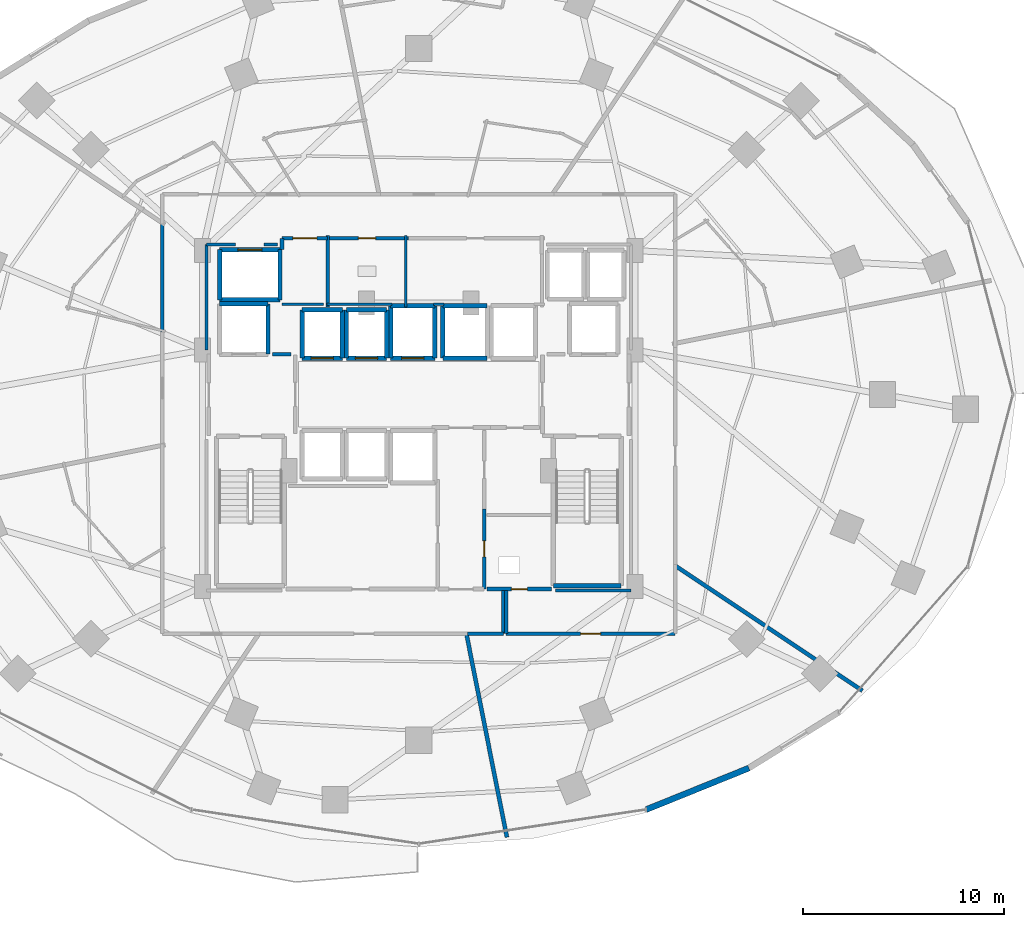
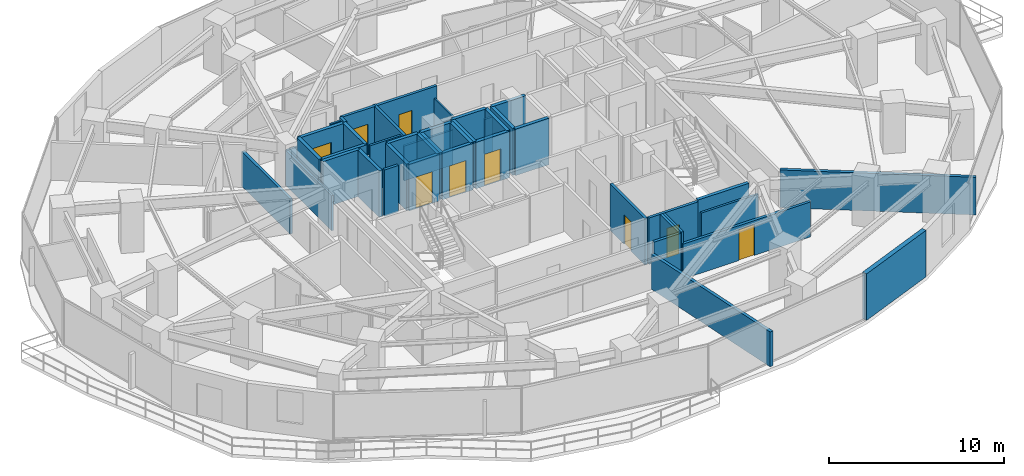
# One storey, part 27 of 33: 45 walls, 9 doors, 9 openings.
"""IFC4 building model written with IfcOpenShell, lengths in metres."""

from ifc_helpers import new_model, si_unit, direction, frame, frame_2d, origin, place, context, subcontext, project, spatial, rectangle, extrude, material, layer, layer_set, type_object, element, fill, save


model = new_model("IFC4")

# Units and contexts
model_context = context("Model", 3, precision=1e-05, world=origin(), true_north=direction((0.0, 1.0)))
body_context = subcontext(model_context, "Body", "Model", "MODEL_VIEW")
ifc_project = project(units=[si_unit("LENGTHUNIT", "METRE"), si_unit("AREAUNIT", "SQUARE_METRE"), si_unit("VOLUMEUNIT", "CUBIC_METRE"), si_unit("PLANEANGLEUNIT", "RADIAN"), si_unit("MASSUNIT", "GRAM", prefix="KILO")], contexts=[model_context])

# Site, building, storey
site_placement = place(None, origin())
site = spatial("IfcSite", under=ifc_project, at=site_placement, CompositionType="ELEMENT")
building_placement = place(site_placement, origin())
building = spatial("IfcBuilding", under=site, at=building_placement, Name="Vorneva Point Tower", CompositionType="ELEMENT")
storey_placement = place(building_placement, frame((0.0, 0.0, 34.5)))
storey = spatial("IfcBuildingStorey", under=building, at=storey_placement, Name="L08", CompositionType="ELEMENT", Elevation=34.5)

# Walls
ifc_material_1 = material(Name="Concrete B60 (C50/60)", Category="concrete")
ifc_layer_1 = layer(ifc_material_1, 0.5)
ifc_layer_set_1 = layer_set([ifc_layer_1], Name="Concrete B60 (C50/60)")
wall_type_1 = type_object("IfcWallType", Name="WL-CORE-500", PredefinedType="SHEAR", material=ifc_layer_set_1)
wall_1_placement = place(storey_placement, frame((30.5, 28.0, 0.0), z_axis=(0.0, 0.0, 1.0), x_axis=(0.0, 1.0, 0.0)))
element("IfcWall", 1, at=wall_1_placement, inside=storey, type_object=wall_type_1, Name="L08 Lift FFL1 Shaft Wall +X", PredefinedType="SHEAR", context=body_context, shape_type="SweptSolid", body=[
    extrude(rectangle(XDim=2.5, YDim=0.219970703125, at=frame_2d((1.25, 0.0))), origin(), (0.0, 0.0, 1.0), 3.239990234375),
])
wall_2_placement = place(storey_placement, frame((30.5, 30.5, 0.0), z_axis=(0.0, 0.0, 1.0), x_axis=(-1.0, 0.0, 0.0)))
element("IfcWall", 2, at=wall_2_placement, inside=storey, type_object=wall_type_1, Name="L08 Lift FFL1 Shaft Wall +Y", PredefinedType="SHEAR", context=body_context, shape_type="SweptSolid", body=[
    extrude(rectangle(XDim=2.39990234375, YDim=0.219970703125, at=frame_2d((1.199951171875, 0.0))), origin(), (0.0, 0.0, 1.0), 3.239990234375),
])
ifc_material_2 = material(Name="Precast concrete B50 (C40/50)", Category="concrete")
ifc_layer_2 = layer(ifc_material_2, 0.300048828125)
ifc_layer_set_2 = layer_set([ifc_layer_2], Name="Precast concrete B50 (C40/50)")
wall_type_2 = type_object("IfcWallType", Name="WL-EXT-300", PredefinedType="STANDARD", material=ifc_layer_set_2)
wall_3_placement = place(storey_placement, frame((49.308349609375, 5.351318359375, 0.0), z_axis=(0.0, 0.0, 1.0), x_axis=(0.927095325176, 0.374825636845, 0.0)))
element("IfcWall", 3, at=wall_3_placement, inside=storey, type_object=wall_type_2, Name="L08 Pale-Metal Facade Spandrel Wall 14.1", PredefinedType="STANDARD", context=body_context, shape_type="SweptSolid", body=[
    extrude(rectangle(XDim=5.51025390625, YDim=0.300048828125, at=frame_2d((2.755126953125, 0.0))), origin(), (0.0, 0.0, 1.0), 3.239990234375),
])
ifc_material_3 = material(Name="Fire-rated acoustic gypsum stud partition", Category="gypsum")
ifc_layer_3 = layer(ifc_material_3, 0.110107421875)
ifc_layer_set_3 = layer_set([ifc_layer_3], Name="Fire-rated acoustic gypsum stud partition")
wall_type_3 = type_object("IfcWallType", Name="WL-PART-110", PredefinedType="PARTITIONING", material=ifc_layer_set_3)
wall_4_placement = place(storey_placement, frame((37.35009765625, 30.340087890625, 0.0), z_axis=(0.0, 0.0, 1.0), x_axis=(0.0, 1.0, 0.0)))
element("IfcWall", 4, at=wall_4_placement, inside=storey, type_object=wall_type_3, Name="L08 Interior Partition 017", PredefinedType="PARTITIONING", context=body_context, shape_type="SweptSolid", body=[
    extrude(rectangle(XDim=3.559814453125, YDim=0.110107421875, at=frame_2d((1.77978515625, 0.0))), origin(), (0.0, 0.0, 1.0), 2.431884765625),
])
ifc_layer_4 = layer(ifc_material_3, 0.139892578125)
ifc_layer_set_4 = layer_set([ifc_layer_4], Name="Fire-rated acoustic gypsum stud partition")
wall_type_4 = type_object("IfcWallType", Name="WL-PART-140", PredefinedType="PARTITIONING", material=ifc_layer_set_4)
wall_5_placement = place(storey_placement, frame((31.199951171875, 30.47998046875, 0.0), z_axis=(0.0, 0.0, 1.0), x_axis=(1.0, 0.0, 0.0)))
element("IfcWall", 5, at=wall_5_placement, inside=storey, type_object=wall_type_4, Name="L08 Interior Closure Partition 088", PredefinedType="PARTITIONING", context=body_context, shape_type="SweptSolid", body=[
    extrude(rectangle(XDim=2.050048828125, YDim=0.139892578125, at=frame_2d((1.02490234375, 0.0))), origin(), (0.0, 0.0, 1.0), 3.239990234375),
])
wall_6_placement = place(storey_placement, frame((33.43994140625, 30.47998046875, 0.0), z_axis=(0.0, 0.0, 1.0), x_axis=(1.0, 0.0, 0.0)))
element("IfcWall", 6, at=wall_6_placement, inside=storey, type_object=wall_type_4, Name="L08 Interior Closure Partition 089", PredefinedType="PARTITIONING", context=body_context, shape_type="SweptSolid", body=[
    extrude(rectangle(XDim=3.22509765625, YDim=0.139892578125, at=frame_2d((1.612548828125, 0.0))), origin(), (0.0, 0.0, 1.0), 2.431884765625),
])
wall_7_placement = place(storey_placement, frame((38.735107421875, 30.47998046875, 0.0), z_axis=(0.0, 0.0, 1.0), x_axis=(1.0, 0.0, 0.0)))
element("IfcWall", 7, at=wall_7_placement, inside=storey, type_object=wall_type_4, Name="L08 Interior Closure Partition 090", PredefinedType="PARTITIONING", context=body_context, shape_type="SweptSolid", body=[
    extrude(rectangle(XDim=0.52978515625, YDim=0.139892578125, at=frame_2d((0.264892578125, 0.0))), origin(), (0.0, 0.0, 1.0), 2.431884765625),
])
wall_8_placement = place(storey_placement, frame((48.550048828125, 16.239990234375, 0.0), z_axis=(0.0, 0.0, 1.0), x_axis=(-1.0, 0.0, 0.0)))
element("IfcWall", 8, at=wall_8_placement, inside=storey, type_object=wall_type_4, Name="L08 Interior Closure Partition 097", PredefinedType="PARTITIONING", context=body_context, shape_type="SweptSolid", body=[
    extrude(rectangle(XDim=3.7451171875, YDim=0.139892578125, at=frame_2d((1.87255859375, 0.0))), origin(), (0.0, 0.0, 1.0), 2.431884765625),
])
wall_9_placement = place(storey_placement, frame((27.449951171875, 28.196044921875, 0.0), z_axis=(0.0, 0.0, 1.0), x_axis=(0.0, 1.0, 0.0)))
element("IfcWall", 9, at=wall_9_placement, inside=storey, type_object=wall_type_4, Name="L08 Interior Closure Partition 100", PredefinedType="PARTITIONING", context=body_context, shape_type="SweptSolid", body=[
    extrude(rectangle(XDim=5.25390625, YDim=0.139892578125, at=frame_2d((2.626953125, 0.0))), origin(), (0.0, 0.0, 1.0), 2.431884765625),
])
wall_10_placement = place(storey_placement, frame((27.449951171875, 33.449951171875, 0.0), z_axis=(0.0, 0.0, 1.0), x_axis=(1.0, 0.0, 0.0)))
element("IfcWall", 10, at=wall_10_placement, inside=storey, type_object=wall_type_4, Name="L08 Interior Closure Partition 101", PredefinedType="PARTITIONING", context=body_context, shape_type="SweptSolid", body=[
    extrude(rectangle(XDim=1.444091796875, YDim=0.139892578125, at=frame_2d((0.72216796875, 0.0))), origin(), (0.0, 0.0, 1.0), 2.431884765625),
])
wall_11_placement = place(storey_placement, frame((30.305908203125, 33.449951171875, 0.0), z_axis=(0.0, 0.0, 1.0), x_axis=(1.0, 0.0, 0.0)))
element("IfcWall", 11, at=wall_11_placement, inside=storey, type_object=wall_type_4, Name="L08 Interior Closure Partition 102", PredefinedType="PARTITIONING", context=body_context, shape_type="SweptSolid", body=[
    extrude(rectangle(XDim=0.674072265625, YDim=0.139892578125, at=frame_2d((0.3369140625, 0.0))), origin(), (0.0, 0.0, 1.0), 3.239990234375),
])
ifc_material_4 = material(Name="Autoclaved aerated concrete blockwork", Category="masonry")
ifc_layer_5 = layer(ifc_material_4, 0.179931640625)
ifc_layer_set_5 = layer_set([ifc_layer_5], Name="Autoclaved aerated concrete blockwork")
wall_type_5 = type_object("IfcWallType", Name="WL-PART-180", PredefinedType="PARTITIONING", material=ifc_layer_set_5)
wall_12_placement = place(storey_placement, frame((33.469970703125, 30.340087890625, 0.0), z_axis=(0.0, 0.0, 1.0), x_axis=(0.0, 1.0, 0.0)))
element("IfcWall", 12, at=wall_12_placement, inside=storey, type_object=wall_type_5, Name="L08 Interior Partition 006", PredefinedType="PARTITIONING", context=body_context, shape_type="SweptSolid", body=[
    extrude(rectangle(XDim=3.559814453125, YDim=0.179931640625, at=frame_2d((1.77978515625, 0.0))), origin(), (0.0, 0.0, 1.0), 3.239990234375),
])

# Wall, opening, door
wall_13_placement = place(storey_placement, frame((33.469970703125, 33.760009765625, 0.0), z_axis=(0.0, 0.0, 1.0), x_axis=(-1.0, 0.0, 0.0)))
wall_13 = element("IfcWall", 13, at=wall_13_placement, inside=storey, type_object=wall_type_5, Name="L08 Interior Partition 007", PredefinedType="PARTITIONING", context=body_context, shape_type="SweptSolid", body=[
    extrude(rectangle(XDim=2.27001953125, YDim=0.179931640625, at=frame_2d((1.135009765625, 0.0))), origin(), (0.0, 0.0, 1.0), 3.239990234375),
])
opening_1_placement = place(wall_13_placement, frame((0.534912109375, 0.0, 0.0)))
opening_1 = element("IfcOpeningElement", 14, at=opening_1_placement, cuts=wall_13, Name="Opening FD-02", PredefinedType="OPENING", context=body_context, shape_type="SweptSolid", body=[
    extrude(rectangle(XDim=1.199951171875, YDim=2.14990234375, at=frame_2d((0.60009765625, 1.074951171875))), frame((0.0, 0.10498046875, 0.0), z_axis=(0.0, -1.0, 0.0), x_axis=(1.0, 0.0, 0.0)), (0.0, 0.0, 1.0), 0.209716796875),
])
ifc_material_5 = material(Name="Fire-rated powder-coated steel", Category="steel")
door_type_1 = type_object("IfcDoorType", Name="DR-FFL-1200", OperationType="NOTDEFINED", PredefinedType="DOOR", material=ifc_material_5)
door_1_placement = place(opening_1_placement, origin())
door_1 = element("IfcDoor", 15, at=door_1_placement, inside=storey, type_object=door_type_1, Name="L08 Door Service Lift Lobby / L08 Circulation Corridor", OperationType="SINGLE_SWING_RIGHT", OverallHeight=2.14990234375, OverallWidth=1.199951171875, PredefinedType="DOOR", context=body_context, shape_type="SweptSolid", body=[
    extrude(rectangle(XDim=1.199951171875, YDim=2.14990234375, at=frame_2d((0.60009765625, 1.074951171875))), frame((0.0, 0.02490234375, 0.0), z_axis=(0.0, -1.0, 0.0), x_axis=(1.0, 0.0, 0.0)), (0.0, 0.0, 1.0), 0.050048828125),
])
fill(opening_1, door_1)

# Wall
wall_14_placement = place(storey_placement, frame((31.199951171875, 33.760009765625, 0.0), z_axis=(0.0, 0.0, 1.0), x_axis=(0.0, -1.0, 0.0)))
element("IfcWall", 16, at=wall_14_placement, inside=storey, type_object=wall_type_5, Name="L08 Interior Partition 008", PredefinedType="PARTITIONING", context=body_context, shape_type="SweptSolid", body=[
    extrude(rectangle(XDim=0.56005859375, YDim=0.179931640625, at=frame_2d((0.280029296875, 0.0))), origin(), (0.0, 0.0, 1.0), 3.239990234375),
])

# Wall, opening, door
wall_15_placement = place(storey_placement, frame((41.25, 16.320068359375, 0.0), z_axis=(0.0, 0.0, 1.0), x_axis=(0.0, 1.0, 0.0)))
wall_15 = element("IfcWall", 17, at=wall_15_placement, inside=storey, type_object=wall_type_5, Name="L08 Interior Partition 011", PredefinedType="PARTITIONING", context=body_context, shape_type="SweptSolid", body=[
    extrude(rectangle(XDim=3.98486328125, YDim=0.179931640625, at=frame_2d((1.992431640625, 0.0))), origin(), (0.0, 0.0, 1.0), 3.239990234375),
])
opening_2_placement = place(wall_15_placement, frame((1.592529296875, 0.0, 0.0)))
opening_2 = element("IfcOpeningElement", 18, at=opening_2_placement, cuts=wall_15, Name="Opening RD-01", PredefinedType="OPENING", context=body_context, shape_type="SweptSolid", body=[
    extrude(rectangle(XDim=0.800048828125, YDim=2.050048828125, at=frame_2d((0.39990234375, 1.02490234375))), frame((0.0, 0.10498046875, 0.0), z_axis=(0.0, -1.0, 0.0), x_axis=(1.0, 0.0, 0.0)), (0.0, 0.0, 1.0), 0.209716796875),
])
door_type_2 = type_object("IfcDoorType", Name="DR-RSR-800", OperationType="SINGLE_SWING_LEFT", PredefinedType="DOOR", material=ifc_material_5)
door_2_placement = place(opening_2_placement, origin())
door_2 = element("IfcDoor", 19, at=door_2_placement, inside=storey, type_object=door_type_2, Name="L08 Door Core Service Lobby / Electrical Riser", OperationType="SINGLE_SWING_LEFT", OverallHeight=2.050048828125, OverallWidth=0.800048828125, PredefinedType="DOOR", context=body_context, shape_type="SweptSolid", body=[
    extrude(rectangle(XDim=0.800048828125, YDim=2.050048828125, at=frame_2d((0.39990234375, 1.02490234375))), frame((0.0, 0.02490234375, 0.0), z_axis=(0.0, -1.0, 0.0), x_axis=(1.0, 0.0, 0.0)), (0.0, 0.0, 1.0), 0.050048828125),
])
fill(opening_2, door_2)

wall_16_placement = place(storey_placement, frame((41.39990234375, 16.320068359375, 0.0), z_axis=(0.0, 0.0, 1.0), x_axis=(1.0, 0.0, 0.0)))
wall_16 = element("IfcWall", 20, at=wall_16_placement, inside=storey, type_object=wall_type_5, Name="L08 Interior Partition 016", PredefinedType="PARTITIONING", context=body_context, shape_type="SweptSolid", body=[
    extrude(rectangle(XDim=3.2001953125, YDim=0.179931640625, at=frame_2d((1.60009765625, 0.0))), origin(), (0.0, 0.0, 1.0), 3.239990234375),
])
opening_3_placement = place(wall_16_placement, frame((1.199951171875, 0.0, 0.0)))
opening_3 = element("IfcOpeningElement", 21, at=opening_3_placement, cuts=wall_16, Name="Opening RD-01", PredefinedType="OPENING", context=body_context, shape_type="SweptSolid", body=[
    extrude(rectangle(XDim=0.800048828125, YDim=2.050048828125, at=frame_2d((0.39990234375, 1.02490234375))), frame((0.0, 0.10498046875, 0.0), z_axis=(0.0, -1.0, 0.0), x_axis=(1.0, 0.0, 0.0)), (0.0, 0.0, 1.0), 0.209716796875),
])
door_3_placement = place(opening_3_placement, origin())
door_3 = element("IfcDoor", 22, at=door_3_placement, inside=storey, type_object=door_type_2, Name="L08 Door Electrical Riser / L08 Circulation Corridor", OperationType="SINGLE_SWING_LEFT", OverallHeight=2.050048828125, OverallWidth=0.800048828125, PredefinedType="DOOR", context=body_context, shape_type="SweptSolid", body=[
    extrude(rectangle(XDim=0.800048828125, YDim=2.050048828125, at=frame_2d((0.39990234375, 1.02490234375))), frame((0.0, 0.02490234375, 0.0), z_axis=(0.0, -1.0, 0.0), x_axis=(1.0, 0.0, 0.0)), (0.0, 0.0, 1.0), 0.050048828125),
])
fill(opening_3, door_3)

wall_17_placement = place(storey_placement, frame((37.489990234375, 33.760009765625, 0.0), z_axis=(0.0, 0.0, 1.0), x_axis=(-1.0, 0.0, 0.0)))
wall_17 = element("IfcWall", 23, at=wall_17_placement, inside=storey, type_object=wall_type_5, Name="L08 Interior Partition 018", PredefinedType="PARTITIONING", context=body_context, shape_type="SweptSolid", body=[
    extrude(rectangle(XDim=4.1298828125, YDim=0.179931640625, at=frame_2d((2.06494140625, 0.0))), origin(), (0.0, 0.0, 1.0), 3.239990234375),
])
opening_4_placement = place(wall_17_placement, frame((1.639892578125, 0.0, 0.0)))
opening_4 = element("IfcOpeningElement", 24, at=opening_4_placement, cuts=wall_17, Name="Opening ID-02", PredefinedType="OPENING", context=body_context, shape_type="SweptSolid", body=[
    extrude(rectangle(XDim=0.85009765625, YDim=2.10009765625, at=frame_2d((0.425048828125, 1.050048828125))), frame((0.0, 0.10498046875, 0.0), z_axis=(0.0, -1.0, 0.0), x_axis=(1.0, 0.0, 0.0)), (0.0, 0.0, 1.0), 0.209716796875),
])
ifc_material_6 = material(Name="Engineered oak fire-rated door leaf", Category="wood")
door_type_3 = type_object("IfcDoorType", Name="DR-BATH-850", OperationType="NOTDEFINED", PredefinedType="DOOR", material=ifc_material_6)
door_4_placement = place(opening_4_placement, origin())
door_4 = element("IfcDoor", 25, at=door_4_placement, inside=storey, type_object=door_type_3, Name="L08 Door Accessible WC / L08 Circulation Corridor", OperationType="SINGLE_SWING_RIGHT", OverallHeight=2.10009765625, OverallWidth=0.85009765625, PredefinedType="DOOR", context=body_context, shape_type="SweptSolid", body=[
    extrude(rectangle(XDim=0.85009765625, YDim=2.10009765625, at=frame_2d((0.425048828125, 1.050048828125))), frame((0.0, 0.02490234375, 0.0), z_axis=(0.0, -1.0, 0.0), x_axis=(1.0, 0.0, 0.0)), (0.0, 0.0, 1.0), 0.050048828125),
])
fill(opening_4, door_4)

# Walls
wall_18_placement = place(storey_placement, frame((25.25, 34.59912109375, 0.0), z_axis=(0.0, 0.0, 1.0), x_axis=(0.0, -1.0, 0.0)))
element("IfcWall", 26, at=wall_18_placement, inside=storey, type_object=wall_type_5, Name="L08 Interior Partition 032", PredefinedType="PARTITIONING", context=body_context, shape_type="SweptSolid", body=[
    extrude(rectangle(XDim=5.510009765625, YDim=0.179931640625, at=frame_2d((2.7548828125, 0.0))), origin(), (0.0, 0.0, 1.0), 2.431884765625),
])
wall_19_placement = place(storey_placement, frame((42.340087890625, 16.239990234375, 0.0), z_axis=(0.0, 0.0, 1.0), x_axis=(0.0, -1.0, 0.0)))
element("IfcWall", 27, at=wall_19_placement, inside=storey, type_object=wall_type_5, Name="L08 Interior Partition 037", PredefinedType="PARTITIONING", context=body_context, shape_type="SweptSolid", body=[
    extrude(rectangle(XDim=2.139892578125, YDim=0.179931640625, at=frame_2d((1.06982421875, 0.0))), origin(), (0.0, 0.0, 1.0), 3.239990234375),
])

# Wall, opening, door
wall_20_placement = place(storey_placement, frame((42.340087890625, 14.10009765625, 0.0), z_axis=(0.0, 0.0, 1.0), x_axis=(1.0, 0.0, 0.0)))
wall_20 = element("IfcWall", 28, at=wall_20_placement, inside=storey, type_object=wall_type_5, Name="L08 Interior Partition 038", PredefinedType="PARTITIONING", context=body_context, shape_type="SweptSolid", body=[
    extrude(rectangle(XDim=8.409912109375, YDim=0.179931640625, at=frame_2d((4.205078125, 0.0))), origin(), (0.0, 0.0, 1.0), 2.431884765625),
])
opening_5_placement = place(wall_20_placement, frame((3.705078125, 0.0, 0.0)))
opening_5 = element("IfcOpeningElement", 29, at=opening_5_placement, cuts=wall_20, Name="Opening UD-01", PredefinedType="OPENING", context=body_context, shape_type="SweptSolid", body=[
    extrude(rectangle(XDim=1.0, YDim=2.14990234375, at=frame_2d((0.5, 1.074951171875))), frame((0.0, 0.10498046875, 0.0), z_axis=(0.0, -1.0, 0.0), x_axis=(1.0, 0.0, 0.0)), (0.0, 0.0, 1.0), 0.209716796875),
])
door_type_4 = type_object("IfcDoorType", Name="DR-UNIT-1000", OperationType="NOTDEFINED", PredefinedType="DOOR", material=ifc_material_6)
door_5_placement = place(opening_5_placement, origin())
door_5 = element("IfcDoor", 30, at=door_5_placement, inside=storey, type_object=door_type_4, Name="L08 Door L08 Circulation Corridor / Executive Meeting Room L08-07", OperationType="SINGLE_SWING_RIGHT", OverallHeight=2.14990234375, OverallWidth=1.0, PredefinedType="DOOR", context=body_context, shape_type="SweptSolid", body=[
    extrude(rectangle(XDim=1.0, YDim=2.14990234375, at=frame_2d((0.5, 1.074951171875))), frame((0.0, 0.02490234375, 0.0), z_axis=(0.0, -1.0, 0.0), x_axis=(1.0, 0.0, 0.0)), (0.0, 0.0, 1.0), 0.050048828125),
])
fill(opening_5, door_5)

# Walls
wall_21_placement = place(storey_placement, frame((40.427978515625, 14.10009765625, 0.0), z_axis=(0.0, 0.0, 1.0), x_axis=(1.0, 0.0, 0.0)))
element("IfcWall", 31, at=wall_21_placement, inside=storey, type_object=wall_type_5, Name="L08 Interior Partition 040", PredefinedType="PARTITIONING", context=body_context, shape_type="SweptSolid", body=[
    extrude(rectangle(XDim=1.77197265625, YDim=0.179931640625, at=frame_2d((0.885986328125, 0.0))), origin(), (0.0, 0.0, 1.0), 3.239990234375),
])
wall_22_placement = place(storey_placement, frame((42.199951171875, 14.10009765625, 0.0), z_axis=(0.0, 0.0, 1.0), x_axis=(0.0, 1.0, 0.0)))
element("IfcWall", 32, at=wall_22_placement, inside=storey, type_object=wall_type_5, Name="L08 Interior Partition 041", PredefinedType="PARTITIONING", context=body_context, shape_type="SweptSolid", body=[
    extrude(rectangle(XDim=2.139892578125, YDim=0.179931640625, at=frame_2d((1.06982421875, 0.0))), origin(), (0.0, 0.0, 1.0), 3.239990234375),
])
wall_23_placement = place(storey_placement, frame((31.635009765625, 28.0, 0.0), z_axis=(0.0, 0.0, 1.0), x_axis=(-1.0, 0.0, 0.0)))
element("IfcWall", 33, at=wall_23_placement, inside=storey, type_object=wall_type_5, Name="L08 Interior Closure Partition 086", PredefinedType="PARTITIONING", context=body_context, shape_type="SweptSolid", body=[
    extrude(rectangle(XDim=0.9150390625, YDim=0.179931640625, at=frame_2d((0.45751953125, 0.0))), origin(), (0.0, 0.0, 1.0), 3.239990234375),
])
ifc_layer_6 = layer(ifc_material_4, 0.199951171875)
ifc_layer_set_6 = layer_set([ifc_layer_6], Name="Autoclaved aerated concrete blockwork")
wall_type_6 = type_object("IfcWallType", Name="WL-PART-200", PredefinedType="PARTITIONING", material=ifc_layer_set_6)
wall_24_placement = place(storey_placement, frame((42.381103515625, 3.97705078125, 0.0), z_axis=(0.0, 0.0, 1.0), x_axis=(-0.195142599893, 0.980774880239, 0.0)))
element("IfcWall", 34, at=wall_24_placement, inside=storey, type_object=wall_type_6, Name="L08 Interior Partition 084", PredefinedType="PARTITIONING", context=body_context, shape_type="SweptSolid", body=[
    extrude(rectangle(XDim=10.321533203125, YDim=0.199951171875, at=frame_2d((5.16064453125, 0.0))), origin(), (0.0, 0.0, 1.0), 2.431884765625),
])
wall_25_placement = place(storey_placement, frame((60.052978515625, 11.264892578125, 0.0), z_axis=(0.0, 0.0, 1.0), x_axis=(-0.831469078055, 0.555571032577, 0.0)))
element("IfcWall", 35, at=wall_25_placement, inside=storey, type_object=wall_type_6, Name="L08 Interior Partition 085", PredefinedType="PARTITIONING", context=body_context, shape_type="SweptSolid", body=[
    extrude(rectangle(XDim=11.188720703125, YDim=0.199951171875, at=frame_2d((5.59423828125, 0.0))), origin(), (0.0, 0.0, 1.0), 2.6240234375),
])
ifc_material_7 = material(Name="Concrete B50 (C40/50)", Category="concrete")
ifc_layer_7 = layer(ifc_material_7, 0.219970703125)
ifc_layer_set_7 = layer_set([ifc_layer_7], Name="Concrete B50 (C40/50)")
wall_type_7 = type_object("IfcWallType", Name="WL-SHFT-220", PredefinedType="SOLIDWALL", material=ifc_layer_set_7)
wall_26_placement = place(storey_placement, frame((48.06005859375, 16.489990234375, 0.0), z_axis=(0.0, 0.0, 1.0), x_axis=(-1.0, 0.0, 0.0)))
element("IfcWall", 36, at=wall_26_placement, inside=storey, type_object=wall_type_7, Name="L08 Exit Stair ST2 Shaft Wall far", PredefinedType="SOLIDWALL", context=body_context, shape_type="SweptSolid", body=[
    extrude(rectangle(XDim=3.3701171875, YDim=0.219970703125, at=frame_2d((1.68505859375, 0.0))), origin(), (0.0, 0.0, 1.0), 3.239990234375),
])

# Wall, opening, door
wall_27_placement = place(storey_placement, frame((32.199951171875, 27.800048828125, 0.0), z_axis=(0.0, 0.0, 1.0), x_axis=(1.0, 0.0, 0.0)))
wall_27 = element("IfcWall", 37, at=wall_27_placement, inside=storey, type_object=wall_type_7, Name="L08 Lift PL1 Shaft Wall -Y", PredefinedType="SOLIDWALL", context=body_context, shape_type="SweptSolid", body=[
    extrude(rectangle(XDim=2.0, YDim=0.219970703125, at=frame_2d((1.0, 0.0))), origin(), (0.0, 0.0, 1.0), 3.239990234375),
])
opening_6_placement = place(wall_27_placement, frame((0.449951171875, 0.0, 0.0)))
opening_6 = element("IfcOpeningElement", 38, at=opening_6_placement, cuts=wall_27, Name="Opening LD-01", PredefinedType="OPENING", context=body_context, shape_type="SweptSolid", body=[
    extrude(rectangle(XDim=1.10009765625, YDim=2.199951171875, at=frame_2d((0.550048828125, 1.10009765625))), frame((0.0, 0.125, 0.0), z_axis=(0.0, -1.0, 0.0), x_axis=(1.0, 0.0, 0.0)), (0.0, 0.0, 1.0), 0.249755859375),
])
ifc_material_8 = material(Name="Brushed stainless steel S304", Category="steel")
door_type_5 = type_object("IfcDoorType", Name="LD-PASS-1100", OperationType="SLIDING_TO_LEFT", PredefinedType="DOOR", material=ifc_material_8)
door_6_placement = place(opening_6_placement, origin())
door_6 = element("IfcDoor", 39, at=door_6_placement, inside=storey, type_object=door_type_5, Name="L08 Lift PL1 Sliding Landing Door", OperationType="SLIDING_TO_LEFT", OverallHeight=2.199951171875, OverallWidth=1.10009765625, PredefinedType="DOOR", context=body_context, shape_type="SweptSolid", body=[
    extrude(rectangle(XDim=1.10009765625, YDim=2.199951171875, at=frame_2d((0.550048828125, 1.10009765625))), frame((0.0, 0.02490234375, 0.0), z_axis=(0.0, -1.0, 0.0), x_axis=(1.0, 0.0, 0.0)), (0.0, 0.0, 1.0), 0.050048828125),
])
fill(opening_6, door_6)

# Walls
wall_28_placement = place(storey_placement, frame((34.199951171875, 27.800048828125, 0.0), z_axis=(0.0, 0.0, 1.0), x_axis=(0.0, 1.0, 0.0)))
element("IfcWall", 40, at=wall_28_placement, inside=storey, type_object=wall_type_7, Name="L08 Lift PL1 Shaft Wall +X", PredefinedType="SOLIDWALL", context=body_context, shape_type="SweptSolid", body=[
    extrude(rectangle(XDim=2.39990234375, YDim=0.219970703125, at=frame_2d((1.199951171875, 0.0))), origin(), (0.0, 0.0, 1.0), 3.239990234375),
])
wall_29_placement = place(storey_placement, frame((34.199951171875, 30.199951171875, 0.0), z_axis=(0.0, 0.0, 1.0), x_axis=(-1.0, 0.0, 0.0)))
element("IfcWall", 41, at=wall_29_placement, inside=storey, type_object=wall_type_7, Name="L08 Lift PL1 Shaft Wall +Y", PredefinedType="SOLIDWALL", context=body_context, shape_type="SweptSolid", body=[
    extrude(rectangle(XDim=2.0, YDim=0.219970703125, at=frame_2d((1.0, 0.0))), origin(), (0.0, 0.0, 1.0), 3.239990234375),
])
wall_30_placement = place(storey_placement, frame((32.199951171875, 30.199951171875, 0.0), z_axis=(0.0, 0.0, 1.0), x_axis=(0.0, -1.0, 0.0)))
element("IfcWall", 42, at=wall_30_placement, inside=storey, type_object=wall_type_7, Name="L08 Lift PL1 Shaft Wall -X", PredefinedType="SOLIDWALL", context=body_context, shape_type="SweptSolid", body=[
    extrude(rectangle(XDim=2.39990234375, YDim=0.219970703125, at=frame_2d((1.199951171875, 0.0))), origin(), (0.0, 0.0, 1.0), 3.239990234375),
])

# Wall, opening, door
wall_31_placement = place(storey_placement, frame((34.39990234375, 27.800048828125, 0.0), z_axis=(0.0, 0.0, 1.0), x_axis=(1.0, 0.0, 0.0)))
wall_31 = element("IfcWall", 43, at=wall_31_placement, inside=storey, type_object=wall_type_7, Name="L08 Lift PL2 Shaft Wall -Y", PredefinedType="SOLIDWALL", context=body_context, shape_type="SweptSolid", body=[
    extrude(rectangle(XDim=2.0, YDim=0.219970703125, at=frame_2d((1.0, 0.0))), origin(), (0.0, 0.0, 1.0), 3.239990234375),
])
opening_7_placement = place(wall_31_placement, frame((0.449951171875, 0.0, 0.0)))
opening_7 = element("IfcOpeningElement", 44, at=opening_7_placement, cuts=wall_31, Name="Opening LD-01", PredefinedType="OPENING", context=body_context, shape_type="SweptSolid", body=[
    extrude(rectangle(XDim=1.10009765625, YDim=2.199951171875, at=frame_2d((0.550048828125, 1.10009765625))), frame((0.0, 0.125, 0.0), z_axis=(0.0, -1.0, 0.0), x_axis=(1.0, 0.0, 0.0)), (0.0, 0.0, 1.0), 0.249755859375),
])
door_7_placement = place(opening_7_placement, origin())
door_7 = element("IfcDoor", 45, at=door_7_placement, inside=storey, type_object=door_type_5, Name="L08 Lift PL2 Sliding Landing Door", OperationType="SLIDING_TO_LEFT", OverallHeight=2.199951171875, OverallWidth=1.10009765625, PredefinedType="DOOR", context=body_context, shape_type="SweptSolid", body=[
    extrude(rectangle(XDim=1.10009765625, YDim=2.199951171875, at=frame_2d((0.550048828125, 1.10009765625))), frame((0.0, 0.02490234375, 0.0), z_axis=(0.0, -1.0, 0.0), x_axis=(1.0, 0.0, 0.0)), (0.0, 0.0, 1.0), 0.050048828125),
])
fill(opening_7, door_7)

# Walls
wall_32_placement = place(storey_placement, frame((36.39990234375, 27.800048828125, 0.0), z_axis=(0.0, 0.0, 1.0), x_axis=(0.0, 1.0, 0.0)))
element("IfcWall", 46, at=wall_32_placement, inside=storey, type_object=wall_type_7, Name="L08 Lift PL2 Shaft Wall +X", PredefinedType="SOLIDWALL", context=body_context, shape_type="SweptSolid", body=[
    extrude(rectangle(XDim=2.39990234375, YDim=0.219970703125, at=frame_2d((1.199951171875, 0.0))), origin(), (0.0, 0.0, 1.0), 3.239990234375),
])
wall_33_placement = place(storey_placement, frame((36.39990234375, 30.199951171875, 0.0), z_axis=(0.0, 0.0, 1.0), x_axis=(-1.0, 0.0, 0.0)))
element("IfcWall", 47, at=wall_33_placement, inside=storey, type_object=wall_type_7, Name="L08 Lift PL2 Shaft Wall +Y", PredefinedType="SOLIDWALL", context=body_context, shape_type="SweptSolid", body=[
    extrude(rectangle(XDim=2.0, YDim=0.219970703125, at=frame_2d((1.0, 0.0))), origin(), (0.0, 0.0, 1.0), 3.239990234375),
])
wall_34_placement = place(storey_placement, frame((34.39990234375, 30.199951171875, 0.0), z_axis=(0.0, 0.0, 1.0), x_axis=(0.0, -1.0, 0.0)))
element("IfcWall", 48, at=wall_34_placement, inside=storey, type_object=wall_type_7, Name="L08 Lift PL2 Shaft Wall -X", PredefinedType="SOLIDWALL", context=body_context, shape_type="SweptSolid", body=[
    extrude(rectangle(XDim=2.39990234375, YDim=0.219970703125, at=frame_2d((1.199951171875, 0.0))), origin(), (0.0, 0.0, 1.0), 3.239990234375),
])

# Wall, opening, door
wall_35_placement = place(storey_placement, frame((36.60009765625, 27.800048828125, 0.0), z_axis=(0.0, 0.0, 1.0), x_axis=(1.0, 0.0, 0.0)))
wall_35 = element("IfcWall", 49, at=wall_35_placement, inside=storey, type_object=wall_type_7, Name="L08 Lift PL3 Shaft Wall -Y", PredefinedType="SOLIDWALL", context=body_context, shape_type="SweptSolid", body=[
    extrude(rectangle(XDim=2.199951171875, YDim=0.219970703125, at=frame_2d((1.10009765625, 0.0))), origin(), (0.0, 0.0, 1.0), 3.239990234375),
])
opening_8_placement = place(wall_35_placement, frame((0.550048828125, 0.0, 0.0)))
opening_8 = element("IfcOpeningElement", 50, at=opening_8_placement, cuts=wall_35, Name="Opening LD-01", PredefinedType="OPENING", context=body_context, shape_type="SweptSolid", body=[
    extrude(rectangle(XDim=1.10009765625, YDim=2.199951171875, at=frame_2d((0.550048828125, 1.10009765625))), frame((0.0, 0.125, 0.0), z_axis=(0.0, -1.0, 0.0), x_axis=(1.0, 0.0, 0.0)), (0.0, 0.0, 1.0), 0.249755859375),
])
door_8_placement = place(opening_8_placement, origin())
door_8 = element("IfcDoor", 51, at=door_8_placement, inside=storey, type_object=door_type_5, Name="L08 Lift PL3 Sliding Landing Door", OperationType="SLIDING_TO_LEFT", OverallHeight=2.199951171875, OverallWidth=1.10009765625, PredefinedType="DOOR", context=body_context, shape_type="SweptSolid", body=[
    extrude(rectangle(XDim=1.10009765625, YDim=2.199951171875, at=frame_2d((0.550048828125, 1.10009765625))), frame((0.0, 0.02490234375, 0.0), z_axis=(0.0, -1.0, 0.0), x_axis=(1.0, 0.0, 0.0)), (0.0, 0.0, 1.0), 0.050048828125),
])
fill(opening_8, door_8)

# Walls
wall_36_placement = place(storey_placement, frame((38.800048828125, 27.800048828125, 0.0), z_axis=(0.0, 0.0, 1.0), x_axis=(0.0, 1.0, 0.0)))
element("IfcWall", 52, at=wall_36_placement, inside=storey, type_object=wall_type_7, Name="L08 Lift PL3 Shaft Wall +X", PredefinedType="SOLIDWALL", context=body_context, shape_type="SweptSolid", body=[
    extrude(rectangle(XDim=2.599853515625, YDim=0.219970703125, at=frame_2d((1.2998046875, 0.0))), origin(), (0.0, 0.0, 1.0), 3.239990234375),
])
wall_37_placement = place(storey_placement, frame((38.800048828125, 30.39990234375, 0.0), z_axis=(0.0, 0.0, 1.0), x_axis=(-1.0, 0.0, 0.0)))
element("IfcWall", 53, at=wall_37_placement, inside=storey, type_object=wall_type_7, Name="L08 Lift PL3 Shaft Wall +Y", PredefinedType="SOLIDWALL", context=body_context, shape_type="SweptSolid", body=[
    extrude(rectangle(XDim=2.199951171875, YDim=0.219970703125, at=frame_2d((1.10009765625, 0.0))), origin(), (0.0, 0.0, 1.0), 3.239990234375),
])
wall_38_placement = place(storey_placement, frame((36.60009765625, 30.39990234375, 0.0), z_axis=(0.0, 0.0, 1.0), x_axis=(0.0, -1.0, 0.0)))
element("IfcWall", 54, at=wall_38_placement, inside=storey, type_object=wall_type_7, Name="L08 Lift PL3 Shaft Wall -X", PredefinedType="SOLIDWALL", context=body_context, shape_type="SweptSolid", body=[
    extrude(rectangle(XDim=2.599853515625, YDim=0.219970703125, at=frame_2d((1.2998046875, 0.0))), origin(), (0.0, 0.0, 1.0), 3.239990234375),
])
for number, where, z_axis, x_axis, name in (
    (55, (39.199951171875, 27.800048828125, 0.0), (0.0, 0.0, 1.0), (1.0, 0.0, 0.0), "L08 Lift PL7 Shaft Wall -Y"),
    (56, (41.39990234375, 30.39990234375, 0.0), (0.0, 0.0, 1.0), (-1.0, 0.0, 0.0), "L08 Lift PL7 Shaft Wall +Y"),
):
    element("IfcWall", number, at=place(storey_placement, frame(where, z_axis=z_axis, x_axis=x_axis)), inside=storey, type_object=wall_type_7, Name=name, PredefinedType="SOLIDWALL", context=body_context, shape_type="SweptSolid", body=[
        extrude(rectangle(XDim=2.199951171875, YDim=0.219970703125, at=frame_2d((1.10009765625, 0.0))), origin(), (0.0, 0.0, 1.0), 3.239990234375),
    ])
wall_39_placement = place(storey_placement, frame((39.199951171875, 30.39990234375, 0.0), z_axis=(0.0, 0.0, 1.0), x_axis=(0.0, -1.0, 0.0)))
element("IfcWall", 57, at=wall_39_placement, inside=storey, type_object=wall_type_7, Name="L08 Lift PL7 Shaft Wall -X", PredefinedType="SOLIDWALL", context=body_context, shape_type="SweptSolid", body=[
    extrude(rectangle(XDim=2.599853515625, YDim=0.219970703125, at=frame_2d((1.2998046875, 0.0))), origin(), (0.0, 0.0, 1.0), 3.239990234375),
])
wall_40_placement = place(storey_placement, frame((28.10009765625, 30.699951171875, 0.0), z_axis=(0.0, 0.0, 1.0), x_axis=(1.0, 0.0, 0.0)))
element("IfcWall", 58, at=wall_40_placement, inside=storey, type_object=wall_type_7, Name="L08 Lift SVL1 Shaft Wall -Y", PredefinedType="SOLIDWALL", context=body_context, shape_type="SweptSolid", body=[
    extrude(rectangle(XDim=3.0, YDim=0.219970703125, at=frame_2d((1.5, 0.0))), origin(), (0.0, 0.0, 1.0), 3.239990234375),
])
wall_41_placement = place(storey_placement, frame((31.10009765625, 30.699951171875, 0.0), z_axis=(0.0, 0.0, 1.0), x_axis=(0.0, 1.0, 0.0)))
element("IfcWall", 59, at=wall_41_placement, inside=storey, type_object=wall_type_7, Name="L08 Lift SVL1 Shaft Wall +X", PredefinedType="SOLIDWALL", context=body_context, shape_type="SweptSolid", body=[
    extrude(rectangle(XDim=2.5, YDim=0.219970703125, at=frame_2d((1.25, 0.0))), origin(), (0.0, 0.0, 1.0), 3.239990234375),
])

# Wall, opening, door
wall_42_placement = place(storey_placement, frame((31.10009765625, 33.199951171875, 0.0), z_axis=(0.0, 0.0, 1.0), x_axis=(-1.0, 0.0, 0.0)))
wall_42 = element("IfcWall", 60, at=wall_42_placement, inside=storey, type_object=wall_type_7, Name="L08 Lift SVL1 Shaft Wall +Y", PredefinedType="SOLIDWALL", context=body_context, shape_type="SweptSolid", body=[
    extrude(rectangle(XDim=3.0, YDim=0.219970703125, at=frame_2d((1.5, 0.0))), origin(), (0.0, 0.0, 1.0), 3.239990234375),
])
opening_9_placement = place(wall_42_placement, frame((0.89990234375, 0.0, 0.0)))
opening_9 = element("IfcOpeningElement", 61, at=opening_9_placement, cuts=wall_42, Name="Opening LD-02", PredefinedType="OPENING", context=body_context, shape_type="SweptSolid", body=[
    extrude(rectangle(XDim=1.199951171875, YDim=2.199951171875, at=frame_2d((0.60009765625, 1.10009765625))), frame((0.0, 0.125, 0.0), z_axis=(0.0, -1.0, 0.0), x_axis=(1.0, 0.0, 0.0)), (0.0, 0.0, 1.0), 0.249755859375),
])
door_type_6 = type_object("IfcDoorType", Name="LD-FIRE-1200", OperationType="SLIDING_TO_LEFT", PredefinedType="DOOR", material=ifc_material_8)
door_9_placement = place(opening_9_placement, origin())
door_9 = element("IfcDoor", 62, at=door_9_placement, inside=storey, type_object=door_type_6, Name="L08 Lift SVL1 Sliding Landing Door", OperationType="SLIDING_TO_LEFT", OverallHeight=2.199951171875, OverallWidth=1.199951171875, PredefinedType="DOOR", context=body_context, shape_type="SweptSolid", body=[
    extrude(rectangle(XDim=1.199951171875, YDim=2.199951171875, at=frame_2d((0.60009765625, 1.10009765625))), frame((0.0, 0.02490234375, 0.0), z_axis=(0.0, -1.0, 0.0), x_axis=(1.0, 0.0, 0.0)), (0.0, 0.0, 1.0), 0.050048828125),
])
fill(opening_9, door_9)

# Wall
wall_43_placement = place(storey_placement, frame((28.10009765625, 33.199951171875, 0.0), z_axis=(0.0, 0.0, 1.0), x_axis=(0.0, -1.0, 0.0)))
element("IfcWall", 63, at=wall_43_placement, inside=storey, type_object=wall_type_7, Name="L08 Lift SVL1 Shaft Wall -X", PredefinedType="SOLIDWALL", context=body_context, shape_type="SweptSolid", body=[
    extrude(rectangle(XDim=2.5, YDim=0.219970703125, at=frame_2d((1.25, 0.0))), origin(), (0.0, 0.0, 1.0), 3.239990234375),
])

save(model, "model.ifc")
